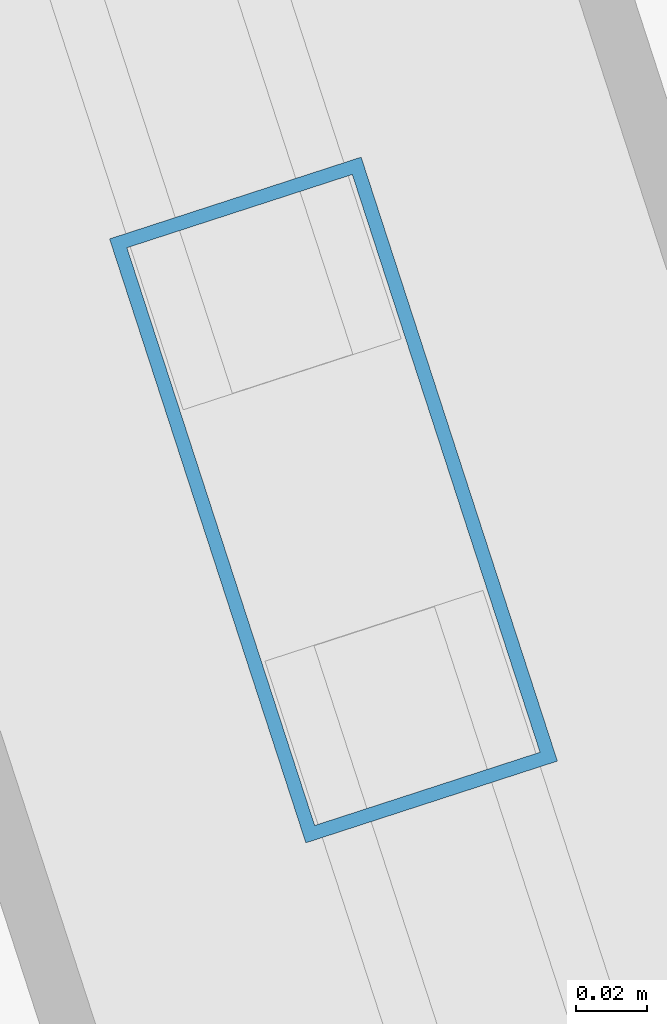
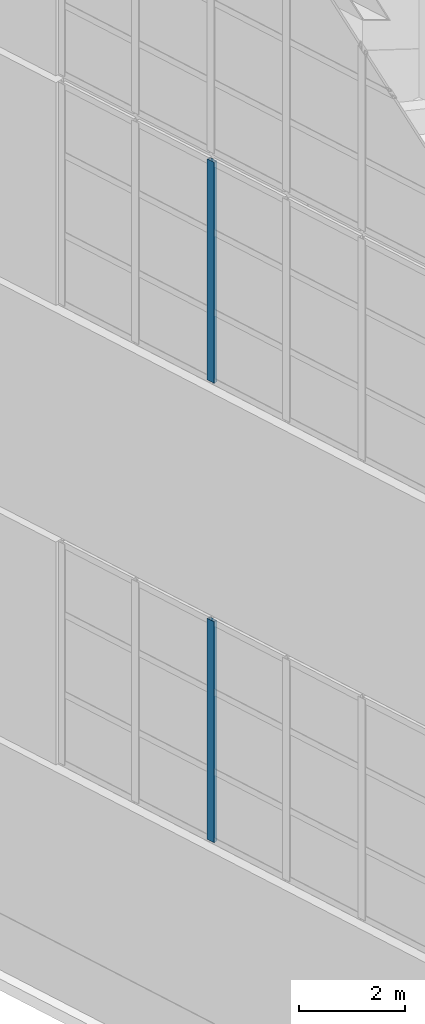
# One storey, part 5 of 56: 2 members, 2 elements without a shape of their own.
"""IFC4 building model written with IfcOpenShell, lengths in metres."""

from ifc_helpers import new_model, si_unit, direction, frame, origin, origin_2d, place, context, subcontext, project, spatial, hollow_rectangle, extrude, material, layer, layer_set, material_profile, profile_set, type_object, element, aggregate, save


model = new_model("IFC4")

# Units and contexts
model_context = context("Model", 3, precision=1e-05, world=origin(), true_north=direction((0.0, 1.0)))
body_context = subcontext(model_context, "Body", "Model", "MODEL_VIEW")
ifc_project = project(units=[si_unit("LENGTHUNIT", "METRE"), si_unit("AREAUNIT", "SQUARE_METRE"), si_unit("VOLUMEUNIT", "CUBIC_METRE"), si_unit("PLANEANGLEUNIT", "RADIAN"), si_unit("MASSUNIT", "GRAM", prefix="KILO")], contexts=[model_context])

# Site, building, storey
site_placement = place(None, origin())
site = spatial("IfcSite", under=ifc_project, at=site_placement, CompositionType="ELEMENT")
building_placement = place(site_placement, origin())
building = spatial("IfcBuilding", under=site, at=building_placement, Name="Qiaolan Cultural Towers", CompositionType="ELEMENT")
storey_placement = place(building_placement, frame((0.0, 0.0, 250.39990234375)))
storey = spatial("IfcBuildingStorey", under=building, at=storey_placement, Name="L68", CompositionType="ELEMENT", Elevation=250.39990234375)

# Curtain wall, member
ifc_material_1 = material(Name="Unitized Anodized Aluminium Curtain Wall System", Category="aluminium")
ifc_layer = layer(ifc_material_1, 0.199951171875)
ifc_layer_set = layer_set([ifc_layer], Name="Unitized Anodized Aluminium Curtain Wall System")
curtain_wall_type = type_object("IfcCurtainWallType", Name="CWS-06", PredefinedType="NOTDEFINED", material=ifc_layer_set)
curtain_wall_1_placement = place(storey_placement, origin())
curtain_wall_1 = element("IfcCurtainWall", 1, at=curtain_wall_1_placement, inside=storey, type_object=curtain_wall_type, Name="T2 Crown Tier 2 Fritted Screen Curtain Wall 7", PredefinedType="NOTDEFINED")
ifc_material_2 = material(Name="Extruded Aluminium 6063-T6", Category="aluminium")
ifc_material_profile = material_profile(ifc_material_2, hollow_rectangle(XDim=0.074951171875, YDim=0.179931640625, WallThickness=0.00390625, at=origin_2d()), Name="CWM-180x75x4")
ifc_profile_set = profile_set([ifc_material_profile], Name="Extruded Aluminium 6063-T6")
member_type = type_object("IfcMemberType", Name="CWS-06-MUL", PredefinedType="MULLION", material=ifc_profile_set)
member_1_placement = place(storey_placement, frame((76.234619140625, 31.546142578125, 5.400146484375), z_axis=(0.0, 0.0, 1.0), x_axis=(0.951056535512, 0.309016935232, 0.0)))
member_1 = element("IfcMember", 2, at=member_1_placement, type_object=member_type, Name="CW-6 mullion 3", PredefinedType="MULLION", context=body_context, shape_type="SweptSolid", body=[
    extrude(hollow_rectangle(XDim=0.074951171875, YDim=0.179931640625, WallThickness=0.00390625, at=origin_2d()), origin(), (0.0, 0.0, 1.0), 5.099853515625),
])
aggregate(curtain_wall_1, [member_1])

curtain_wall_2_placement = place(storey_placement, origin())
curtain_wall_2 = element("IfcCurtainWall", 3, at=curtain_wall_2_placement, inside=storey, type_object=curtain_wall_type, Name="T2 Crown Tier 4 Fritted Screen Curtain Wall 7", PredefinedType="NOTDEFINED")
member_2_placement = place(storey_placement, frame((76.234619140625, 31.546142578125, 16.0), z_axis=(0.0, 0.0, 1.0), x_axis=(0.951056535512, 0.309016935232, 0.0)))
member_2 = element("IfcMember", 4, at=member_2_placement, type_object=member_type, Name="CW-6 mullion 3", PredefinedType="MULLION", context=body_context, shape_type="SweptSolid", body=[
    extrude(hollow_rectangle(XDim=0.074951171875, YDim=0.179931640625, WallThickness=0.00390625, at=origin_2d()), origin(), (0.0, 0.0, 1.0), 5.10009765625),
])
aggregate(curtain_wall_2, [member_2])

save(model, "model.ifc")
